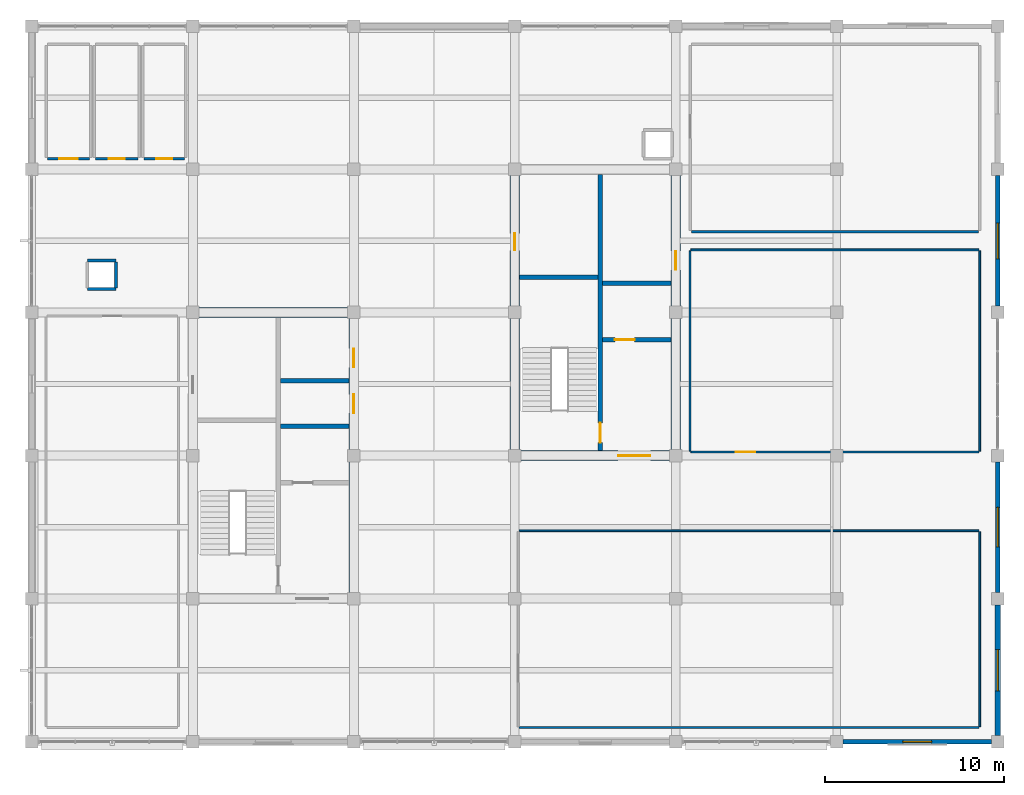
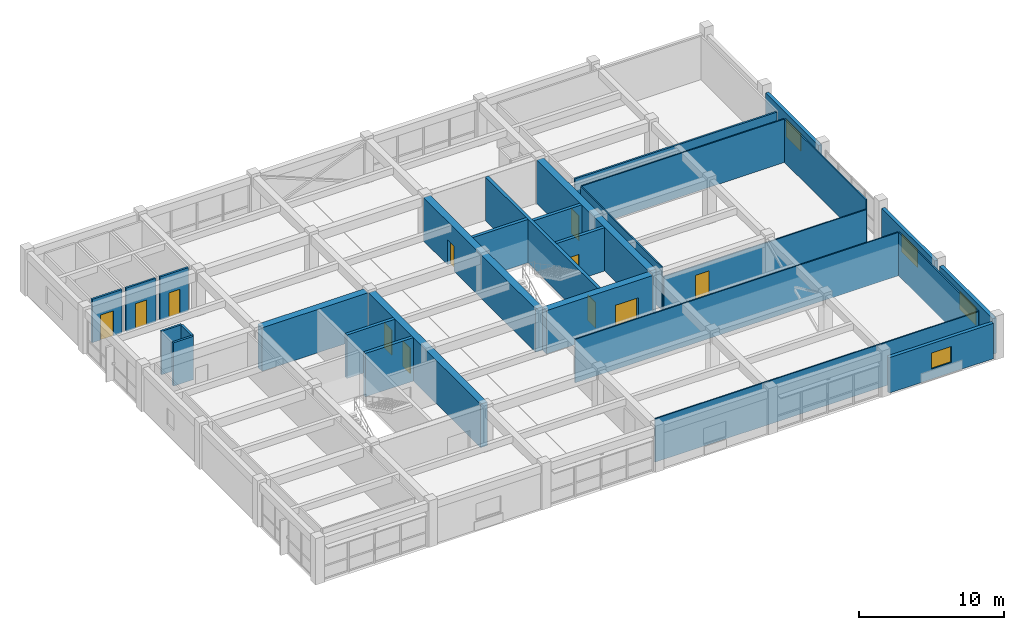
# One storey, part 11 of 13: 29 walls, 11 doors, 4 windows, 15 openings.
"""IFC4 building model written with IfcOpenShell, lengths in metres."""

from ifc_helpers import new_model, si_unit, direction, frame, frame_2d, origin, place, context, subcontext, project, spatial, rectangle, extrude, material, layer, layer_set, type_object, element, fill, save


model = new_model("IFC4")

# Units and contexts
model_context = context("Model", 3, precision=1e-05, world=origin(), true_north=direction((0.0, 1.0)))
body_context = subcontext(model_context, "Body", "Model", "MODEL_VIEW")
ifc_project = project(units=[si_unit("LENGTHUNIT", "METRE"), si_unit("AREAUNIT", "SQUARE_METRE"), si_unit("VOLUMEUNIT", "CUBIC_METRE"), si_unit("PLANEANGLEUNIT", "RADIAN"), si_unit("MASSUNIT", "GRAM", prefix="KILO")], contexts=[model_context])

# Site, building, storey
site_placement = place(None, origin())
site = spatial("IfcSite", under=ifc_project, at=site_placement, CompositionType="ELEMENT")
building_placement = place(site_placement, origin())
building = spatial("IfcBuilding", under=site, at=building_placement, Name="Zaverband Oceanarium and Marine Research Institute", CompositionType="ELEMENT")
storey_placement = place(building_placement, frame((0.0, 0.0, 64.800048828125)))
storey = spatial("IfcBuildingStorey", under=building, at=storey_placement, Name="L16", CompositionType="ELEMENT", Elevation=64.800048828125)

# Wall
ifc_material_1 = material(Name="Concrete C50/60", Category="concrete")
ifc_layer_1 = layer(ifc_material_1, 0.550048828125, Name="Concrete C50/60")
ifc_layer_set_1 = layer_set([ifc_layer_1], Name="Concrete C50/60")
wall_type_1 = type_object("IfcWallType", Name="CW-01", PredefinedType="SHEAR", material=ifc_layer_set_1)
wall_1_placement = place(storey_placement, frame((18.27490234375, 96.0, 0.0), z_axis=(0.0, 0.0, 1.0), x_axis=(1.0, 0.0, 0.0)))
element("IfcWall", 1, at=wall_1_placement, inside=storey, type_object=wall_type_1, Name="Structural shear wall CW-01", PredefinedType="SHEAR", context=body_context, shape_type="SweptSolid", body=[
    extrude(rectangle(XDim=8.4501953125, YDim=0.550048828125, at=frame_2d((4.22509765625, 0.0))), origin(), (0.0, 0.0, 1.0), 3.64990234375),
])

# Wall, openings, doors
wall_2_placement = place(storey_placement, frame((27.0, 80.27490234375, 0.0), z_axis=(0.0, 0.0, 1.0), x_axis=(0.0, 1.0, 0.0)))
wall_2 = element("IfcWall", 2, at=wall_2_placement, inside=storey, type_object=wall_type_1, Name="Structural shear wall CW-01", PredefinedType="SHEAR", context=body_context, shape_type="SweptSolid", body=[
    extrude(rectangle(XDim=15.4501953125, YDim=0.550048828125, at=frame_2d((7.72509765625, 0.0))), origin(), (0.0, 0.0, 1.0), 3.64990234375),
])
opening_1_placement = place(wall_2_placement, frame((10.10009765625, 0.0, 0.0)))
opening_1 = element("IfcOpeningElement", 3, at=opening_1_placement, cuts=wall_2, Name="Opening LD-02", PredefinedType="OPENING", context=body_context, shape_type="SweptSolid", body=[
    extrude(rectangle(XDim=1.050048828125, YDim=2.1201171875, at=frame_2d((0.52490234375, 1.06005859375))), frame((0.0, 0.287109375, 0.0), z_axis=(0.0, -1.0, 0.0), x_axis=(1.0, 0.0, 0.0)), (0.0, 0.0, 1.0), 0.573974609375),
])
opening_2_placement = place(wall_2_placement, frame((12.64990234375, 0.0, 0.0)))
opening_2 = element("IfcOpeningElement", 4, at=opening_2_placement, cuts=wall_2, Name="Opening LD-02", PredefinedType="OPENING", context=body_context, shape_type="SweptSolid", body=[
    extrude(rectangle(XDim=1.050048828125, YDim=2.1201171875, at=frame_2d((0.52490234375, 1.06005859375))), frame((0.0, 0.287109375, 0.0), z_axis=(0.0, -1.0, 0.0), x_axis=(1.0, 0.0, 0.0)), (0.0, 0.0, 1.0), 0.573974609375),
])
ifc_material_2 = material(Name="Steel S355", Category="steel")
door_type_1 = type_object("IfcDoorType", Name="LD-02", OperationType="DOUBLE_DOOR_SLIDING", PredefinedType="DOOR", material=ifc_material_2)
door_1_placement = place(opening_1_placement, origin())
door_1 = element("IfcDoor", 5, at=door_1_placement, inside=storey, type_object=door_type_1, Name="Passenger lift sliding landing door LD-02", OperationType="DOUBLE_DOOR_SLIDING", OverallHeight=2.1201171875, OverallWidth=1.050048828125, PredefinedType="DOOR", context=body_context, shape_type="SweptSolid", body=[
    extrude(rectangle(XDim=1.050048828125, YDim=2.1201171875, at=frame_2d((0.52490234375, 1.06005859375))), frame((0.0, 0.02490234375, 0.0), z_axis=(0.0, -1.0, 0.0), x_axis=(1.0, 0.0, 0.0)), (0.0, 0.0, 1.0), 0.050048828125),
])
fill(opening_1, door_1)
door_2_placement = place(opening_2_placement, origin())
door_2 = element("IfcDoor", 6, at=door_2_placement, inside=storey, type_object=door_type_1, Name="Passenger lift sliding landing door LD-02", OperationType="DOUBLE_DOOR_SLIDING", OverallHeight=2.1201171875, OverallWidth=1.050048828125, PredefinedType="DOOR", context=body_context, shape_type="SweptSolid", body=[
    extrude(rectangle(XDim=1.050048828125, YDim=2.1201171875, at=frame_2d((0.52490234375, 1.06005859375))), frame((0.0, 0.02490234375, 0.0), z_axis=(0.0, -1.0, 0.0), x_axis=(1.0, 0.0, 0.0)), (0.0, 0.0, 1.0), 0.050048828125),
])
fill(opening_2, door_2)

# Wall, opening, door
wall_3_placement = place(storey_placement, frame((36.27490234375, 88.0, 0.0), z_axis=(0.0, 0.0, 1.0), x_axis=(1.0, 0.0, 0.0)))
wall_3 = element("IfcWall", 7, at=wall_3_placement, inside=storey, type_object=wall_type_1, Name="Structural shear wall CW-01", PredefinedType="SHEAR", context=body_context, shape_type="SweptSolid", body=[
    extrude(rectangle(XDim=8.4501953125, YDim=0.550048828125, at=frame_2d((4.22509765625, 0.0))), origin(), (0.0, 0.0, 1.0), 3.64990234375),
])
opening_3_placement = place(wall_3_placement, frame((5.5, 0.0, 0.0)))
opening_3 = element("IfcOpeningElement", 8, at=opening_3_placement, cuts=wall_3, Name="Opening FD-02", PredefinedType="OPENING", context=body_context, shape_type="SweptSolid", body=[
    extrude(rectangle(XDim=1.800048828125, YDim=2.179931640625, at=frame_2d((0.89990234375, 1.08984375))), frame((0.0, 0.287109375, 0.0), z_axis=(0.0, -1.0, 0.0), x_axis=(1.0, 0.0, 0.0)), (0.0, 0.0, 1.0), 0.573974609375),
])
door_type_2 = type_object("IfcDoorType", Name="FD-02", OperationType="DOUBLE_DOOR_SINGLE_SWING", PredefinedType="DOOR", material=ifc_material_2)
door_3_placement = place(opening_3_placement, origin())
door_3 = element("IfcDoor", 9, at=door_3_placement, inside=storey, type_object=door_type_2, Name="Protected lobby double fire door FD-02", OperationType="DOUBLE_DOOR_SINGLE_SWING", OverallHeight=2.179931640625, OverallWidth=1.800048828125, PredefinedType="DOOR", context=body_context, shape_type="SweptSolid", body=[
    extrude(rectangle(XDim=1.800048828125, YDim=2.179931640625, at=frame_2d((0.89990234375, 1.08984375))), frame((0.0, 0.02490234375, 0.0), z_axis=(0.0, -1.0, 0.0), x_axis=(1.0, 0.0, 0.0)), (0.0, 0.0, 1.0), 0.050048828125),
])
fill(opening_3, door_3)

wall_4_placement = place(storey_placement, frame((36.0, 88.27490234375, 0.0), z_axis=(0.0, 0.0, 1.0), x_axis=(0.0, 1.0, 0.0)))
wall_4 = element("IfcWall", 10, at=wall_4_placement, inside=storey, type_object=wall_type_1, Name="Structural shear wall CW-01", PredefinedType="SHEAR", context=body_context, shape_type="SweptSolid", body=[
    extrude(rectangle(XDim=15.4501953125, YDim=0.550048828125, at=frame_2d((7.72509765625, 0.0))), origin(), (0.0, 0.0, 1.0), 3.64990234375),
])
opening_4_placement = place(wall_4_placement, frame((11.199951171875, 0.0, 0.0)))
opening_4 = element("IfcOpeningElement", 11, at=opening_4_placement, cuts=wall_4, Name="Opening FD-03", PredefinedType="OPENING", context=body_context, shape_type="SweptSolid", body=[
    extrude(rectangle(XDim=0.949951171875, YDim=2.10009765625, at=frame_2d((0.47509765625, 1.050048828125))), frame((0.0, 0.287109375, 0.0), z_axis=(0.0, -1.0, 0.0), x_axis=(1.0, 0.0, 0.0)), (0.0, 0.0, 1.0), 0.573974609375),
])
door_type_3 = type_object("IfcDoorType", Name="FD-03", OperationType="NOTDEFINED", PredefinedType="DOOR", material=ifc_material_2)
door_4_placement = place(opening_4_placement, origin())
door_4 = element("IfcDoor", 12, at=door_4_placement, inside=storey, type_object=door_type_3, Name="Service riser access fire door FD-03", OperationType="SINGLE_SWING_RIGHT", OverallHeight=2.10009765625, OverallWidth=0.949951171875, PredefinedType="DOOR", context=body_context, shape_type="SweptSolid", body=[
    extrude(rectangle(XDim=0.949951171875, YDim=2.10009765625, at=frame_2d((0.47509765625, 1.050048828125))), frame((0.0, 0.02490234375, 0.0), z_axis=(0.0, -1.0, 0.0), x_axis=(1.0, 0.0, 0.0)), (0.0, 0.0, 1.0), 0.050048828125),
])
fill(opening_4, door_4)

wall_5_placement = place(storey_placement, frame((45.0, 88.27490234375, 0.0), z_axis=(0.0, 0.0, 1.0), x_axis=(0.0, 1.0, 0.0)))
wall_5 = element("IfcWall", 13, at=wall_5_placement, inside=storey, type_object=wall_type_1, Name="Structural shear wall CW-01", PredefinedType="SHEAR", context=body_context, shape_type="SweptSolid", body=[
    extrude(rectangle(XDim=15.4501953125, YDim=0.550048828125, at=frame_2d((7.72509765625, 0.0))), origin(), (0.0, 0.0, 1.0), 3.64990234375),
])
opening_5_placement = place(wall_5_placement, frame((10.10009765625, 0.0, 0.0)))
opening_5 = element("IfcOpeningElement", 14, at=opening_5_placement, cuts=wall_5, Name="Opening LD-02", PredefinedType="OPENING", context=body_context, shape_type="SweptSolid", body=[
    extrude(rectangle(XDim=1.050048828125, YDim=2.1201171875, at=frame_2d((0.52490234375, 1.06005859375))), frame((0.0, 0.287109375, 0.0), z_axis=(0.0, -1.0, 0.0), x_axis=(1.0, 0.0, 0.0)), (0.0, 0.0, 1.0), 0.573974609375),
])
door_5_placement = place(opening_5_placement, origin())
door_5 = element("IfcDoor", 15, at=door_5_placement, inside=storey, type_object=door_type_1, Name="Passenger lift sliding landing door LD-02", OperationType="DOUBLE_DOOR_SLIDING", OverallHeight=2.1201171875, OverallWidth=1.050048828125, PredefinedType="DOOR", context=body_context, shape_type="SweptSolid", body=[
    extrude(rectangle(XDim=1.050048828125, YDim=2.1201171875, at=frame_2d((0.52490234375, 1.06005859375))), frame((0.0, 0.02490234375, 0.0), z_axis=(0.0, -1.0, 0.0), x_axis=(1.0, 0.0, 0.0)), (0.0, 0.0, 1.0), 0.050048828125),
])
fill(opening_5, door_5)

# Wall, opening, window
ifc_material_3 = material(Name="Concrete C40/50 precast", Category="concrete")
ifc_layer_2 = layer(ifc_material_3, 0.264892578125, Name="Concrete C40/50 precast")
ifc_layer_set_2 = layer_set([ifc_layer_2], Name="Concrete C40/50 precast")
wall_type_2 = type_object("IfcWallType", Name="EW-265", PredefinedType="STANDARD", material=ifc_layer_set_2)
wall_6_placement = place(storey_placement, frame((54.35498046875, 72.0, 0.0), z_axis=(0.0, 0.0, 1.0), x_axis=(1.0, 0.0, 0.0)))
wall_6 = element("IfcWall", 16, at=wall_6_placement, inside=storey, type_object=wall_type_2, Name="Exterior infill wall EW-265", PredefinedType="STANDARD", context=body_context, shape_type="SweptSolid", body=[
    extrude(rectangle(XDim=8.2900390625, YDim=0.264892578125, at=frame_2d((4.14501953125, 0.0))), origin(), (0.0, 0.0, 1.0), 2.97998046875),
])
opening_6_placement = place(wall_6_placement, frame((3.344970703125, 0.0, 0.85009765625)))
opening_6 = element("IfcOpeningElement", 17, at=opening_6_placement, cuts=wall_6, Name="Opening WN-1600x1350", PredefinedType="OPENING", context=body_context, shape_type="SweptSolid", body=[
    extrude(rectangle(XDim=1.60009765625, YDim=1.35009765625, at=frame_2d((0.800048828125, 0.675048828125))), frame((0.0, 0.14453125, 0.0), z_axis=(0.0, -1.0, 0.0), x_axis=(1.0, 0.0, 0.0)), (0.0, 0.0, 1.0), 0.288818359375),
])
ifc_material_4 = material(Name="Thermally broken anodized aluminium and solar-control glass", Category="aluminium")
window_type_1 = type_object("IfcWindowType", Name="WN-1600x1350", PartitioningType="SINGLE_PANEL", PredefinedType="WINDOW", material=ifc_material_4)
window_1_placement = place(opening_6_placement, origin())
window_1 = element("IfcWindow", 18, at=window_1_placement, inside=storey, type_object=window_type_1, Name="Fixed / casement exterior window WN-1600x1350", OverallHeight=1.35009765625, OverallWidth=1.60009765625, PartitioningType="SINGLE_PANEL", PredefinedType="WINDOW", context=body_context, shape_type="SweptSolid", body=[
    extrude(rectangle(XDim=1.60009765625, YDim=1.35009765625, at=frame_2d((0.800048828125, 0.675048828125))), frame((0.0, 0.030029296875, 0.0), z_axis=(0.0, -1.0, 0.0), x_axis=(1.0, 0.0, 0.0)), (0.0, 0.0, 1.0), 0.06005859375),
])
fill(opening_6, window_1)

wall_7_placement = place(storey_placement, frame((63.0, 80.35498046875, 0.0), z_axis=(0.0, 0.0, 1.0), x_axis=(0.0, 1.0, 0.0)))
wall_7 = element("IfcWall", 19, at=wall_7_placement, inside=storey, type_object=wall_type_2, Name="Exterior infill wall EW-265", PredefinedType="STANDARD", context=body_context, shape_type="SweptSolid", body=[
    extrude(rectangle(XDim=7.2900390625, YDim=0.264892578125, at=frame_2d((3.64501953125, 0.0))), origin(), (0.0, 0.0, 1.0), 2.97998046875),
])
opening_7_placement = place(wall_7_placement, frame((2.544921875, 0.0, 0.85009765625)))
opening_7 = element("IfcOpeningElement", 20, at=opening_7_placement, cuts=wall_7, Name="Opening WN-2200x1500", PredefinedType="OPENING", context=body_context, shape_type="SweptSolid", body=[
    extrude(rectangle(XDim=2.199951171875, YDim=1.5, at=frame_2d((1.10009765625, 0.75))), frame((0.0, 0.14453125, 0.0), z_axis=(0.0, -1.0, 0.0), x_axis=(1.0, 0.0, 0.0)), (0.0, 0.0, 1.0), 0.288818359375),
])
window_type_2 = type_object("IfcWindowType", Name="WN-2200x1500", PartitioningType="SINGLE_PANEL", PredefinedType="WINDOW", material=ifc_material_4)
window_2_placement = place(opening_7_placement, origin())
window_2 = element("IfcWindow", 21, at=window_2_placement, inside=storey, type_object=window_type_2, Name="Fixed / casement exterior window WN-2200x1500", OverallHeight=1.5, OverallWidth=2.199951171875, PartitioningType="SINGLE_PANEL", PredefinedType="WINDOW", context=body_context, shape_type="SweptSolid", body=[
    extrude(rectangle(XDim=2.199951171875, YDim=1.5, at=frame_2d((1.10009765625, 0.75))), frame((0.0, 0.030029296875, 0.0), z_axis=(0.0, -1.0, 0.0), x_axis=(1.0, 0.0, 0.0)), (0.0, 0.0, 1.0), 0.06005859375),
])
fill(opening_7, window_2)

wall_8_placement = place(storey_placement, frame((63.0, 96.35498046875, 0.0), z_axis=(0.0, 0.0, 1.0), x_axis=(0.0, 1.0, 0.0)))
wall_8 = element("IfcWall", 22, at=wall_8_placement, inside=storey, type_object=wall_type_2, Name="Exterior infill wall EW-265", PredefinedType="STANDARD", context=body_context, shape_type="SweptSolid", body=[
    extrude(rectangle(XDim=7.2900390625, YDim=0.264892578125, at=frame_2d((3.64501953125, 0.0))), origin(), (0.0, 0.0, 1.0), 2.97998046875),
])
opening_8_placement = place(wall_8_placement, frame((2.64501953125, 0.0, 0.85009765625)))
opening_8 = element("IfcOpeningElement", 23, at=opening_8_placement, cuts=wall_8, Name="Opening WN-2000x1500", PredefinedType="OPENING", context=body_context, shape_type="SweptSolid", body=[
    extrude(rectangle(XDim=2.0, YDim=1.5, at=frame_2d((1.0, 0.75))), frame((0.0, 0.14453125, 0.0), z_axis=(0.0, -1.0, 0.0), x_axis=(1.0, 0.0, 0.0)), (0.0, 0.0, 1.0), 0.288818359375),
])
window_type_3 = type_object("IfcWindowType", Name="WN-2000x1500", PartitioningType="SINGLE_PANEL", PredefinedType="WINDOW", material=ifc_material_4)
window_3_placement = place(opening_8_placement, origin())
window_3 = element("IfcWindow", 24, at=window_3_placement, inside=storey, type_object=window_type_3, Name="Fixed / casement exterior window WN-2000x1500", OverallHeight=1.5, OverallWidth=2.0, PartitioningType="SINGLE_PANEL", PredefinedType="WINDOW", context=body_context, shape_type="SweptSolid", body=[
    extrude(rectangle(XDim=2.0, YDim=1.5, at=frame_2d((1.0, 0.75))), frame((0.0, 0.030029296875, 0.0), z_axis=(0.0, -1.0, 0.0), x_axis=(1.0, 0.0, 0.0)), (0.0, 0.0, 1.0), 0.06005859375),
])
fill(opening_8, window_3)

ifc_layer_3 = layer(ifc_material_3, 0.2900390625, Name="Concrete C40/50 precast")
ifc_layer_set_3 = layer_set([ifc_layer_3], Name="Concrete C40/50 precast")
wall_type_3 = type_object("IfcWallType", Name="EW-290", PredefinedType="STANDARD", material=ifc_layer_set_3)
wall_9_placement = place(storey_placement, frame((63.0, 72.35498046875, 0.0), z_axis=(0.0, 0.0, 1.0), x_axis=(0.0, 1.0, 0.0)))
wall_9 = element("IfcWall", 25, at=wall_9_placement, inside=storey, type_object=wall_type_3, Name="Exterior infill wall EW-290", PredefinedType="STANDARD", context=body_context, shape_type="SweptSolid", body=[
    extrude(rectangle(XDim=7.2900390625, YDim=0.2900390625, at=frame_2d((3.64501953125, 0.0))), origin(), (0.0, 0.0, 1.0), 2.97998046875),
])
opening_9_placement = place(wall_9_placement, frame((2.4951171875, 0.0, 0.85009765625)))
opening_9 = element("IfcOpeningElement", 26, at=opening_9_placement, cuts=wall_9, Name="Opening WN-2300x1500", PredefinedType="OPENING", context=body_context, shape_type="SweptSolid", body=[
    extrude(rectangle(XDim=2.300048828125, YDim=1.5, at=frame_2d((1.14990234375, 0.75))), frame((0.0, 0.156982421875, 0.0), z_axis=(0.0, -1.0, 0.0), x_axis=(1.0, 0.0, 0.0)), (0.0, 0.0, 1.0), 0.31396484375),
])
window_type_4 = type_object("IfcWindowType", Name="WN-2300x1500", PartitioningType="SINGLE_PANEL", PredefinedType="WINDOW", material=ifc_material_4)
window_4_placement = place(opening_9_placement, origin())
window_4 = element("IfcWindow", 27, at=window_4_placement, inside=storey, type_object=window_type_4, Name="Fixed / casement exterior window WN-2300x1500", OverallHeight=1.5, OverallWidth=2.300048828125, PartitioningType="SINGLE_PANEL", PredefinedType="WINDOW", context=body_context, shape_type="SweptSolid", body=[
    extrude(rectangle(XDim=2.300048828125, YDim=1.5, at=frame_2d((1.14990234375, 0.75))), frame((0.0, 0.030029296875, 0.0), z_axis=(0.0, -1.0, 0.0), x_axis=(1.0, 0.0, 0.0)), (0.0, 0.0, 1.0), 0.06005859375),
])
fill(opening_9, window_4)

# Walls
ifc_material_5 = material(Name="Framed fire-rated glass laboratory partition", Category="glass")
ifc_layer_4 = layer(ifc_material_5, 0.10009765625, Name="Framed fire-rated glass laboratory partition")
ifc_layer_set_4 = layer_set([ifc_layer_4], Name="Framed fire-rated glass laboratory partition")
wall_type_4 = type_object("IfcWallType", Name="PT-100-GL", PredefinedType="PARTITIONING", material=ifc_layer_set_4)
for number, where, z_axis, x_axis, name in (
    (28, (36.25, 72.800048828125, 0.0), (0.0, 0.0, 1.0), (1.0, 0.0, 0.0), "Internal partition PT-100-GL"),
    (29, (36.25, 83.800048828125, 0.0), (0.0, 0.0, 1.0), (1.0, 0.0, 0.0), "Internal partition PT-100-GL"),
):
    element("IfcWall", number, at=place(storey_placement, frame(where, z_axis=z_axis, x_axis=x_axis)), inside=storey, type_object=wall_type_4, Name=name, PredefinedType="PARTITIONING", context=body_context, shape_type="SweptSolid", body=[
        extrude(rectangle(XDim=25.699951171875, YDim=0.10009765625, at=frame_2d((12.85009765625, 0.0))), origin(), (0.0, 0.0, 1.0), 3.64990234375),
    ])
wall_10_placement = place(storey_placement, frame((62.0, 72.85009765625, 0.0), z_axis=(0.0, 0.0, 1.0), x_axis=(0.0, 1.0, 0.0)))
element("IfcWall", 30, at=wall_10_placement, inside=storey, type_object=wall_type_4, Name="Internal partition PT-100-GL", PredefinedType="PARTITIONING", context=body_context, shape_type="SweptSolid", body=[
    extrude(rectangle(XDim=10.89990234375, YDim=0.10009765625, at=frame_2d((5.449951171875, 0.0))), origin(), (0.0, 0.0, 1.0), 3.64990234375),
])

# Wall, opening, door
wall_11_placement = place(storey_placement, frame((45.85009765625, 88.199951171875, 0.0), z_axis=(0.0, 0.0, 1.0), x_axis=(1.0, 0.0, 0.0)))
wall_11 = element("IfcWall", 31, at=wall_11_placement, inside=storey, type_object=wall_type_4, Name="Internal partition PT-100-GL", PredefinedType="PARTITIONING", context=body_context, shape_type="SweptSolid", body=[
    extrude(rectangle(XDim=16.099853515625, YDim=0.10009765625, at=frame_2d((8.0498046875, 0.0))), origin(), (0.0, 0.0, 1.0), 2.89990234375),
])
opening_10_placement = place(wall_11_placement, frame((2.5, 0.0, 0.0)))
opening_10 = element("IfcOpeningElement", 32, at=opening_10_placement, cuts=wall_11, Name="Opening ID-1100x2120", PredefinedType="OPENING", context=body_context, shape_type="SweptSolid", body=[
    extrude(rectangle(XDim=1.10009765625, YDim=2.1201171875, at=frame_2d((0.550048828125, 1.06005859375))), frame((0.0, 0.06201171875, 0.0), z_axis=(0.0, -1.0, 0.0), x_axis=(1.0, 0.0, 0.0)), (0.0, 0.0, 1.0), 0.1240234375),
])
ifc_material_6 = material(Name="Hardwood-veneered acoustic timber", Category="wood")
door_type_4 = type_object("IfcDoorType", Name="ID-1100x2120", OperationType="NOTDEFINED", PredefinedType="DOOR", material=ifc_material_6)
door_6_placement = place(opening_10_placement, origin())
door_6 = element("IfcDoor", 33, at=door_6_placement, inside=storey, type_object=door_type_4, Name="Telemetry laboratory door ID-1100x2120", OperationType="SINGLE_SWING_RIGHT", OverallHeight=2.1201171875, OverallWidth=1.10009765625, PredefinedType="DOOR", context=body_context, shape_type="SweptSolid", body=[
    extrude(rectangle(XDim=1.10009765625, YDim=2.1201171875, at=frame_2d((0.550048828125, 1.06005859375))), frame((0.0, 0.02490234375, 0.0), z_axis=(0.0, -1.0, 0.0), x_axis=(1.0, 0.0, 0.0)), (0.0, 0.0, 1.0), 0.050048828125),
])
fill(opening_10, door_6)

# Walls
wall_12_placement = place(storey_placement, frame((45.85009765625, 99.5, 0.0), z_axis=(0.0, 0.0, 1.0), x_axis=(1.0, 0.0, 0.0)))
element("IfcWall", 34, at=wall_12_placement, inside=storey, type_object=wall_type_4, Name="Internal partition PT-100-GL", PredefinedType="PARTITIONING", context=body_context, shape_type="SweptSolid", body=[
    extrude(rectangle(XDim=16.099853515625, YDim=0.10009765625, at=frame_2d((8.0498046875, 0.0))), origin(), (0.0, 0.0, 1.0), 3.64990234375),
])
for number, where, z_axis, x_axis, name in (
    (35, (45.800048828125, 88.25, 0.0), (0.0, 0.0, 1.0), (0.0, 1.0, 0.0), "Internal partition PT-100-GL"),
    (36, (62.0, 88.25, 0.0), (0.0, 0.0, 1.0), (0.0, 1.0, 0.0), "Internal partition PT-100-GL"),
):
    element("IfcWall", number, at=place(storey_placement, frame(where, z_axis=z_axis, x_axis=x_axis)), inside=storey, type_object=wall_type_4, Name=name, PredefinedType="PARTITIONING", context=body_context, shape_type="SweptSolid", body=[
        extrude(rectangle(XDim=11.199951171875, YDim=0.10009765625, at=frame_2d((5.60009765625, 0.0))), origin(), (0.0, 0.0, 1.0), 3.64990234375),
    ])
ifc_material_7 = material(Name="Acoustic classroom partition")
ifc_layer_5 = layer(ifc_material_7, 0.139892578125, Name="Acoustic classroom partition")
ifc_layer_set_5 = layer_set([ifc_layer_5], Name="Acoustic classroom partition")
wall_type_5 = type_object("IfcWallType", Name="PT-140-CL", PredefinedType="PARTITIONING", material=ifc_layer_set_5)
wall_13_placement = place(storey_placement, frame((45.8701171875, 100.5, 0.0), z_axis=(0.0, 0.0, 1.0), x_axis=(1.0, 0.0, 0.0)))
element("IfcWall", 37, at=wall_13_placement, inside=storey, type_object=wall_type_5, Name="Acoustic partition PT-140-CL", PredefinedType="PARTITIONING", context=body_context, shape_type="SweptSolid", body=[
    extrude(rectangle(XDim=16.059814453125, YDim=0.139892578125, at=frame_2d((8.02978515625, 0.0))), origin(), (0.0, 0.0, 1.0), 3.64990234375),
])

# Wall, opening, door
ifc_material_8 = material(Name="Ceramic-tiled wet-room blockwork", Category="masonry")
ifc_layer_6 = layer(ifc_material_8, 0.14990234375, Name="Ceramic-tiled wet-room blockwork")
ifc_layer_set_6 = layer_set([ifc_layer_6], Name="Ceramic-tiled wet-room blockwork")
wall_type_6 = type_object("IfcWallType", Name="PT-150-WC", PredefinedType="PARTITIONING", material=ifc_layer_set_6)
wall_14_placement = place(storey_placement, frame((9.875, 104.60009765625, 0.0), z_axis=(0.0, 0.0, 1.0), x_axis=(1.0, 0.0, 0.0)))
wall_14 = element("IfcWall", 38, at=wall_14_placement, inside=storey, type_object=wall_type_6, Name="Internal partition PT-150-WC", PredefinedType="PARTITIONING", context=body_context, shape_type="SweptSolid", body=[
    extrude(rectangle(XDim=2.35009765625, YDim=0.14990234375, at=frame_2d((1.175048828125, 0.0))), origin(), (0.0, 0.0, 1.0), 3.64990234375),
])
opening_11_placement = place(wall_14_placement, frame((0.6650390625, 0.0, 0.0)))
opening_11 = element("IfcOpeningElement", 39, at=opening_11_placement, cuts=wall_14, Name="Opening ID-1020x2100", PredefinedType="OPENING", context=body_context, shape_type="SweptSolid", body=[
    extrude(rectangle(XDim=1.02001953125, YDim=2.10009765625, at=frame_2d((0.510009765625, 1.050048828125))), frame((0.0, 0.0869140625, 0.0), z_axis=(0.0, -1.0, 0.0), x_axis=(1.0, 0.0, 0.0)), (0.0, 0.0, 1.0), 0.173828125),
])
door_type_5 = type_object("IfcDoorType", Name="ID-1020x2100", OperationType="NOTDEFINED", PredefinedType="DOOR", material=ifc_material_6)
door_7_placement = place(opening_11_placement, frame((1.02001953125, 0.0, 0.0), z_axis=(0.0, 0.0, 1.0), x_axis=(-1.0, 0.0, 0.0)))
door_7 = element("IfcDoor", 40, at=door_7_placement, inside=storey, type_object=door_type_5, Name="Accessible WC outward-swing door ID-1020x2100", OperationType="SINGLE_SWING_LEFT", OverallHeight=2.10009765625, OverallWidth=1.02001953125, PredefinedType="DOOR", context=body_context, shape_type="SweptSolid", body=[
    extrude(rectangle(XDim=1.02001953125, YDim=2.10009765625, at=frame_2d((0.510009765625, 1.050048828125))), frame((0.0, 0.02490234375, 0.0), z_axis=(0.0, -1.0, 0.0), x_axis=(1.0, 0.0, 0.0)), (0.0, 0.0, 1.0), 0.050048828125),
])
fill(opening_11, door_7)

wall_15_placement = place(storey_placement, frame((12.574951171875, 104.60009765625, 0.0), z_axis=(0.0, 0.0, 1.0), x_axis=(1.0, 0.0, 0.0)))
wall_15 = element("IfcWall", 41, at=wall_15_placement, inside=storey, type_object=wall_type_6, Name="Internal partition PT-150-WC", PredefinedType="PARTITIONING", context=body_context, shape_type="SweptSolid", body=[
    extrude(rectangle(XDim=2.35009765625, YDim=0.14990234375, at=frame_2d((1.175048828125, 0.0))), origin(), (0.0, 0.0, 1.0), 3.64990234375),
])
opening_12_placement = place(wall_15_placement, frame((0.719970703125, 0.0, 0.0)))
opening_12 = element("IfcOpeningElement", 42, at=opening_12_placement, cuts=wall_15, Name="Opening ID-910x2080", PredefinedType="OPENING", context=body_context, shape_type="SweptSolid", body=[
    extrude(rectangle(XDim=0.909912109375, YDim=2.080078125, at=frame_2d((0.455078125, 1.0400390625))), frame((0.0, 0.0869140625, 0.0), z_axis=(0.0, -1.0, 0.0), x_axis=(1.0, 0.0, 0.0)), (0.0, 0.0, 1.0), 0.173828125),
])
door_type_6 = type_object("IfcDoorType", Name="ID-910x2080", OperationType="NOTDEFINED", PredefinedType="DOOR", material=ifc_material_6)
door_8_placement = place(opening_12_placement, origin())
door_8 = element("IfcDoor", 43, at=door_8_placement, inside=storey, type_object=door_type_6, Name="Sanitary washroom entrance door ID-910x2080", OperationType="SINGLE_SWING_RIGHT", OverallHeight=2.080078125, OverallWidth=0.909912109375, PredefinedType="DOOR", context=body_context, shape_type="SweptSolid", body=[
    extrude(rectangle(XDim=0.909912109375, YDim=2.080078125, at=frame_2d((0.455078125, 1.0400390625))), frame((0.0, 0.02490234375, 0.0), z_axis=(0.0, -1.0, 0.0), x_axis=(1.0, 0.0, 0.0)), (0.0, 0.0, 1.0), 0.050048828125),
])
fill(opening_12, door_8)

wall_16_placement = place(storey_placement, frame((15.27490234375, 104.60009765625, 0.0), z_axis=(0.0, 0.0, 1.0), x_axis=(1.0, 0.0, 0.0)))
wall_16 = element("IfcWall", 44, at=wall_16_placement, inside=storey, type_object=wall_type_6, Name="Internal partition PT-150-WC", PredefinedType="PARTITIONING", context=body_context, shape_type="SweptSolid", body=[
    extrude(rectangle(XDim=2.25, YDim=0.14990234375, at=frame_2d((1.125, 0.0))), origin(), (0.0, 0.0, 1.0), 3.64990234375),
])
opening_13_placement = place(wall_16_placement, frame((0.679931640625, 0.0, 0.0)))
opening_13 = element("IfcOpeningElement", 45, at=opening_13_placement, cuts=wall_16, Name="Opening ID-890x2060", PredefinedType="OPENING", context=body_context, shape_type="SweptSolid", body=[
    extrude(rectangle(XDim=0.889892578125, YDim=2.06005859375, at=frame_2d((0.44482421875, 1.030029296875))), frame((0.0, 0.0869140625, 0.0), z_axis=(0.0, -1.0, 0.0), x_axis=(1.0, 0.0, 0.0)), (0.0, 0.0, 1.0), 0.173828125),
])
door_type_7 = type_object("IfcDoorType", Name="ID-890x2060", OperationType="NOTDEFINED", PredefinedType="DOOR", material=ifc_material_6)
door_9_placement = place(opening_13_placement, origin())
door_9 = element("IfcDoor", 46, at=door_9_placement, inside=storey, type_object=door_type_7, Name="Staff WC door ID-890x2060", OperationType="SINGLE_SWING_LEFT", OverallHeight=2.06005859375, OverallWidth=0.889892578125, PredefinedType="DOOR", context=body_context, shape_type="SweptSolid", body=[
    extrude(rectangle(XDim=0.889892578125, YDim=2.06005859375, at=frame_2d((0.44482421875, 1.030029296875))), frame((0.0, 0.02490234375, 0.0), z_axis=(0.0, -1.0, 0.0), x_axis=(1.0, 0.0, 0.0)), (0.0, 0.0, 1.0), 0.050048828125),
])
fill(opening_13, door_9)

# Walls
ifc_material_9 = material(Name="Corridor rated drywall partition")
ifc_layer_7 = layer(ifc_material_9, 0.1650390625, Name="Corridor rated drywall partition")
ifc_layer_set_7 = layer_set([ifc_layer_7], Name="Corridor rated drywall partition")
wall_type_7 = type_object("IfcWallType", Name="PT-165-CR", PredefinedType="PARTITIONING", material=ifc_layer_set_7)
for number, where, z_axis, x_axis, name in (
    (47, (12.10009765625, 97.300048828125, 0.0), (0.0, 0.0, 1.0), (1.0, 0.0, 0.0), "Internal partition PT-165-CR"),
    (48, (12.10009765625, 98.89990234375, 0.0), (0.0, 0.0, 1.0), (1.0, 0.0, 0.0), "Internal partition PT-165-CR"),
):
    element("IfcWall", number, at=place(storey_placement, frame(where, z_axis=z_axis, x_axis=x_axis)), inside=storey, type_object=wall_type_7, Name=name, PredefinedType="PARTITIONING", context=body_context, shape_type="SweptSolid", body=[
        extrude(rectangle(XDim=1.599853515625, YDim=0.1650390625, at=frame_2d((0.7998046875, 0.0))), origin(), (0.0, 0.0, 1.0), 3.64990234375),
    ])
wall_17_placement = place(storey_placement, frame((13.699951171875, 97.3798828125, 0.0), z_axis=(0.0, 0.0, 1.0), x_axis=(0.0, 1.0, 0.0)))
element("IfcWall", 49, at=wall_17_placement, inside=storey, type_object=wall_type_7, Name="Internal partition PT-165-CR", PredefinedType="PARTITIONING", context=body_context, shape_type="SweptSolid", body=[
    extrude(rectangle(XDim=1.440185546875, YDim=0.1650390625, at=frame_2d((0.72021484375, 0.0))), origin(), (0.0, 0.0, 1.0), 3.64990234375),
])
ifc_layer_8 = layer(ifc_material_1, 0.25, Name="Concrete C50/60")
ifc_layer_set_8 = layer_set([ifc_layer_8], Name="Concrete C50/60")
wall_type_8 = type_object("IfcWallType", Name="PW-CORE-250", PredefinedType="SOLIDWALL", material=ifc_layer_set_8)
for number, where, z_axis, x_axis, name in (
    (50, (22.905029296875, 89.6298828125, 0.0), (0.0, 0.0, 1.0), (1.0, 0.0, 0.0), "Structural concrete wall PW-CORE-250"),
    (51, (22.905029296875, 92.179931640625, 0.0), (0.0, 0.0, 1.0), (1.0, 0.0, 0.0), "Structural concrete wall PW-CORE-250"),
):
    element("IfcWall", number, at=place(storey_placement, frame(where, z_axis=z_axis, x_axis=x_axis)), inside=storey, type_object=wall_type_8, Name=name, PredefinedType="SOLIDWALL", context=body_context, shape_type="SweptSolid", body=[
        extrude(rectangle(XDim=3.820068359375, YDim=0.25, at=frame_2d((1.91015625, 0.0))), origin(), (0.0, 0.0, 1.0), 3.64990234375),
    ])

# Wall, opening, door
wall_18_placement = place(storey_placement, frame((40.77490234375, 88.27490234375, 0.0), z_axis=(0.0, 0.0, 1.0), x_axis=(0.0, 1.0, 0.0)))
wall_18 = element("IfcWall", 52, at=wall_18_placement, inside=storey, type_object=wall_type_8, Name="Structural concrete wall PW-CORE-250", PredefinedType="SOLIDWALL", context=body_context, shape_type="SweptSolid", body=[
    extrude(rectangle(XDim=15.4501953125, YDim=0.25, at=frame_2d((7.72509765625, 0.0))), origin(), (0.0, 0.0, 1.0), 3.64990234375),
])
opening_14_placement = place(wall_18_placement, frame((0.449951171875, 0.0, 0.0)))
opening_14 = element("IfcOpeningElement", 53, at=opening_14_placement, cuts=wall_18, Name="Opening FD-01", PredefinedType="OPENING", context=body_context, shape_type="SweptSolid", body=[
    extrude(rectangle(XDim=1.10009765625, YDim=2.14990234375, at=frame_2d((0.550048828125, 1.074951171875))), frame((0.0, 0.136962890625, 0.0), z_axis=(0.0, -1.0, 0.0), x_axis=(1.0, 0.0, 0.0)), (0.0, 0.0, 1.0), 0.27392578125),
])
door_type_8 = type_object("IfcDoorType", Name="FD-01", OperationType="NOTDEFINED", PredefinedType="DOOR", material=ifc_material_2)
door_10_placement = place(opening_14_placement, origin())
door_10 = element("IfcDoor", 54, at=door_10_placement, inside=storey, type_object=door_type_8, Name="Core stair / lobby fire door FD-01", OperationType="SINGLE_SWING_LEFT", OverallHeight=2.14990234375, OverallWidth=1.10009765625, PredefinedType="DOOR", context=body_context, shape_type="SweptSolid", body=[
    extrude(rectangle(XDim=1.10009765625, YDim=2.14990234375, at=frame_2d((0.550048828125, 1.074951171875))), frame((0.0, 0.02490234375, 0.0), z_axis=(0.0, -1.0, 0.0), x_axis=(1.0, 0.0, 0.0)), (0.0, 0.0, 1.0), 0.050048828125),
])
fill(opening_14, door_10)

# Wall
wall_19_placement = place(storey_placement, frame((36.27490234375, 97.97509765625, 0.0), z_axis=(0.0, 0.0, 1.0), x_axis=(1.0, 0.0, 0.0)))
element("IfcWall", 55, at=wall_19_placement, inside=storey, type_object=wall_type_8, Name="Structural concrete wall PW-CORE-250", PredefinedType="SOLIDWALL", context=body_context, shape_type="SweptSolid", body=[
    extrude(rectangle(XDim=4.3701171875, YDim=0.25, at=frame_2d((2.18505859375, 0.0))), origin(), (0.0, 0.0, 1.0), 3.64990234375),
])

# Wall, opening, door
wall_20_placement = place(storey_placement, frame((40.905029296875, 94.47509765625, 0.0), z_axis=(0.0, 0.0, 1.0), x_axis=(1.0, 0.0, 0.0)))
wall_20 = element("IfcWall", 56, at=wall_20_placement, inside=storey, type_object=wall_type_8, Name="Structural concrete wall PW-CORE-250", PredefinedType="SOLIDWALL", context=body_context, shape_type="SweptSolid", body=[
    extrude(rectangle(XDim=3.820068359375, YDim=0.25, at=frame_2d((1.91015625, 0.0))), origin(), (0.0, 0.0, 1.0), 3.64990234375),
])
opening_15_placement = place(wall_20_placement, frame((0.695068359375, 0.0, 0.0)))
opening_15 = element("IfcOpeningElement", 57, at=opening_15_placement, cuts=wall_20, Name="Opening LD-01", PredefinedType="OPENING", context=body_context, shape_type="SweptSolid", body=[
    extrude(rectangle(XDim=1.10009765625, YDim=2.1201171875, at=frame_2d((0.550048828125, 1.06005859375))), frame((0.0, 0.136962890625, 0.0), z_axis=(0.0, -1.0, 0.0), x_axis=(1.0, 0.0, 0.0)), (0.0, 0.0, 1.0), 0.27392578125),
])
door_type_9 = type_object("IfcDoorType", Name="LD-01", OperationType="DOUBLE_DOOR_SLIDING", PredefinedType="DOOR", material=ifc_material_2)
door_11_placement = place(opening_15_placement, origin())
door_11 = element("IfcDoor", 58, at=door_11_placement, inside=storey, type_object=door_type_9, Name="Firefighting lift sliding landing door LD-01", OperationType="DOUBLE_DOOR_SLIDING", OverallHeight=2.1201171875, OverallWidth=1.10009765625, PredefinedType="DOOR", context=body_context, shape_type="SweptSolid", body=[
    extrude(rectangle(XDim=1.10009765625, YDim=2.1201171875, at=frame_2d((0.550048828125, 1.06005859375))), frame((0.0, 0.02490234375, 0.0), z_axis=(0.0, -1.0, 0.0), x_axis=(1.0, 0.0, 0.0)), (0.0, 0.0, 1.0), 0.050048828125),
])
fill(opening_15, door_11)

# Wall
wall_21_placement = place(storey_placement, frame((40.905029296875, 97.6298828125, 0.0), z_axis=(0.0, 0.0, 1.0), x_axis=(1.0, 0.0, 0.0)))
element("IfcWall", 59, at=wall_21_placement, inside=storey, type_object=wall_type_8, Name="Structural concrete wall PW-CORE-250", PredefinedType="SOLIDWALL", context=body_context, shape_type="SweptSolid", body=[
    extrude(rectangle(XDim=3.820068359375, YDim=0.25, at=frame_2d((1.91015625, 0.0))), origin(), (0.0, 0.0, 1.0), 3.64990234375),
])

save(model, "model.ifc")
